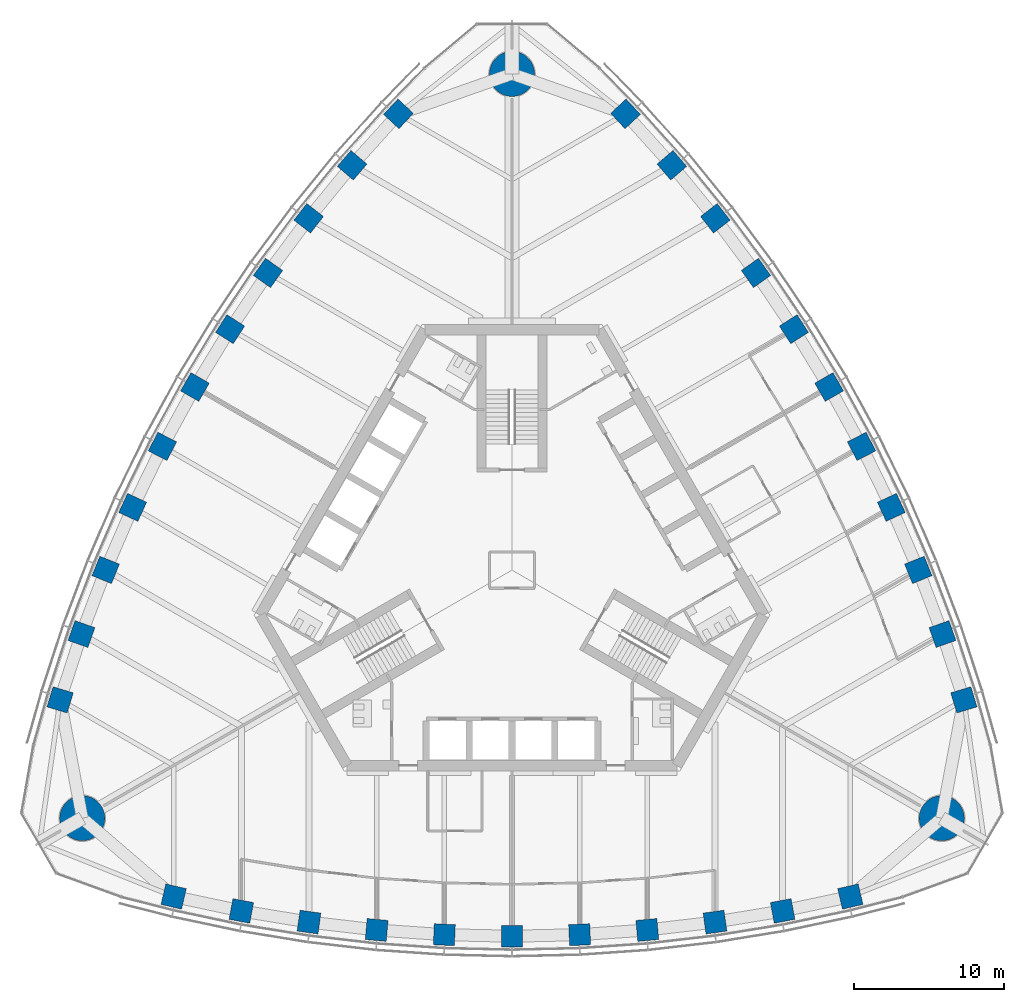
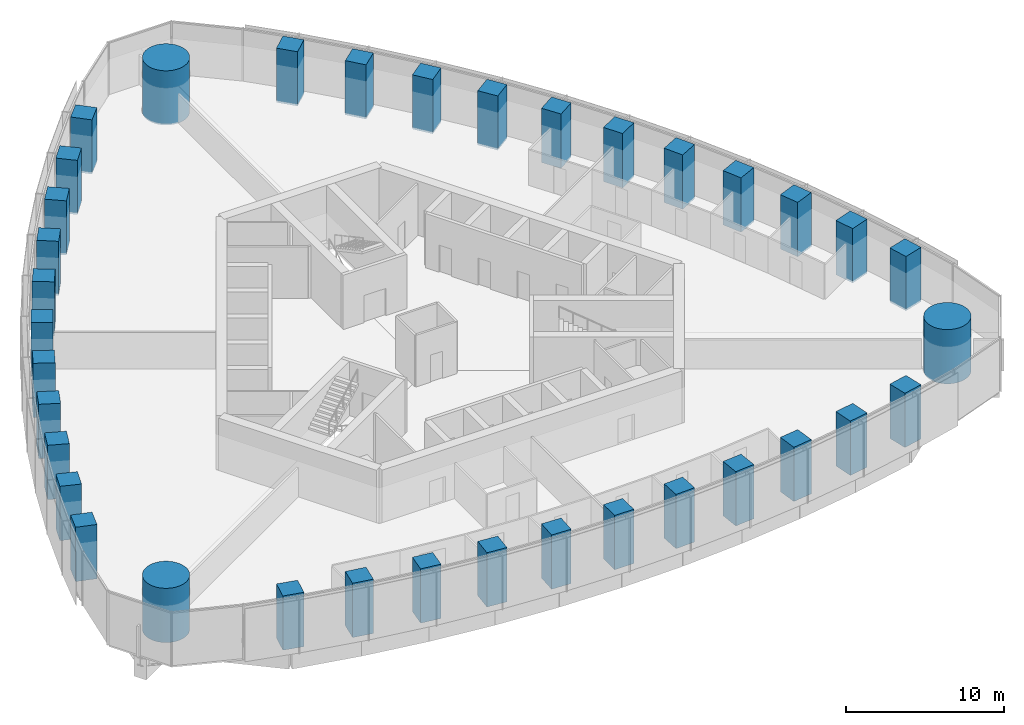
# One storey, part 1 of 18: 36 columns.
"""IFC4 building model written with IfcOpenShell, lengths in metres."""

from ifc_helpers import new_model, si_unit, direction, frame, origin, origin_2d, place, context, subcontext, project, spatial, rectangle, circle, extrude, material, material_profile, profile_set, type_object, element, save


model = new_model("IFC4")

# Units and contexts
model_context = context("Model", 3, precision=1e-05, world=origin(), true_north=direction((0.0, 1.0)))
body_context = subcontext(model_context, "Body", "Model", "MODEL_VIEW")
ifc_project = project(units=[si_unit("LENGTHUNIT", "METRE"), si_unit("AREAUNIT", "SQUARE_METRE"), si_unit("VOLUMEUNIT", "CUBIC_METRE"), si_unit("PLANEANGLEUNIT", "RADIAN"), si_unit("MASSUNIT", "GRAM", prefix="KILO")], contexts=[model_context])

# Site, building, storey
site_placement = place(None, origin())
site = spatial("IfcSite", under=ifc_project, at=site_placement, CompositionType="ELEMENT")
building_placement = place(site_placement, origin())
building = spatial("IfcBuilding", under=site, at=building_placement, Name="Trefoil Bronze Tower", CompositionType="ELEMENT")
storey_placement = place(building_placement, frame((0.0, 0.0, 252.699951171875)))
storey = spatial("IfcBuildingStorey", under=building, at=storey_placement, Name="L58", CompositionType="ELEMENT", Elevation=252.699951171875)

# Columns
ifc_material_1 = material(Name="Concrete B80", Category="concrete")
ifc_material_profile_1 = material_profile(ifc_material_1, circle(Radius=1.5, at=origin_2d()), Name="RC D3000")
ifc_profile_set_1 = profile_set([ifc_material_profile_1], Name="Concrete B80")
column_type_1 = type_object("IfcColumnType", Name="Mega column RC D3000", PredefinedType="COLUMN", material=ifc_profile_set_1)
for number, where, z_axis, x_axis, name in (
    (1, (28.578857421875, -16.5, 0.0), (0.0, 0.0, 1.0), (1.0, 0.0, 0.0), "Mega column K1 L58"),
    (2, (0.0, 33.0, 0.0), (0.0, 0.0, 1.0), (1.0, 0.0, 0.0), "Mega column K2 L58"),
    (3, (-28.578857421875, -16.5, 0.0), (0.0, 0.0, 1.0), (1.0, 0.0, 0.0), "Mega column K3 L58"),
):
    element("IfcColumn", number, at=place(storey_placement, frame(where, z_axis=z_axis, x_axis=x_axis)), inside=storey, type_object=column_type_1, Name=name, PredefinedType="COLUMN", context=body_context, shape_type="SweptSolid", body=[
        extrude(circle(Radius=1.5, at=origin_2d()), origin(), (0.0, 0.0, 1.0), 4.199951171875),
    ])
ifc_material_2 = material(Name="Concrete B80", Category="concrete")
ifc_material_profile_2 = material_profile(ifc_material_2, rectangle(XDim=1.39990234375, YDim=1.39990234375, at=origin_2d()), Name="RC 1400x1400")
ifc_profile_set_2 = profile_set([ifc_material_profile_2], Name="Concrete B80")
column_type_2 = type_object("IfcColumnType", Name="Tube column RC 1400x1400", PredefinedType="COLUMN", material=ifc_profile_set_2)
for number, where, z_axis, x_axis, name in (
    (4, (-22.5, -21.71044921875, 0.0), (0.0, 0.0, 1.0), (0.973875487093, -0.227082662569, 0.0), "Tube column F1/-5 L58"),
    (5, (-18.0, -22.6689453125, 0.0), (0.0, 0.0, 1.0), (0.982958917767, -0.183825368167, 0.0), "Tube column F1/-4 L58"),
    (6, (-13.5, -23.408447265625, 0.0), (0.0, 0.0, 1.0), (0.990450627582, -0.137867887204, 0.0), "Tube column F1/-3 L58"),
    (7, (-9.0, -23.932861328125, 0.0), (0.0, 0.0, 1.0), (0.995767189263, -0.091911396394, 0.0), "Tube column F1/-2 L58"),
    (8, (-4.5, -24.246337890625, 0.0), (0.0, 0.0, 1.0), (0.998943485952, -0.045955542372, 0.0), "Tube column F1/-1 L58"),
    (9, (0.0, -24.3505859375, 0.0), (0.0, 0.0, 1.0), (1.0, 0.0, 0.0), "Tube column F1/+0 L58"),
    (10, (4.5, -24.246337890625, 0.0), (0.0, 0.0, 1.0), (0.998943485952, 0.045955542372, 0.0), "Tube column F1/+1 L58"),
    (11, (9.0, -23.932861328125, 0.0), (0.0, 0.0, 1.0), (0.995767189263, 0.091911396394, 0.0), "Tube column F1/+2 L58"),
    (12, (13.5, -23.408447265625, 0.0), (0.0, 0.0, 1.0), (0.990450627582, 0.137867887204, 0.0), "Tube column F1/+3 L58"),
    (13, (18.0, -22.6689453125, 0.0), (0.0, 0.0, 1.0), (0.982958917767, 0.183825368167, 0.0), "Tube column F1/+4 L58"),
    (14, (22.5, -21.71044921875, 0.0), (0.0, 0.0, 1.0), (0.973875487093, 0.227082662569, 0.0), "Tube column F1/+5 L58"),
    (15, (30.052001953125, -8.63037109375, 0.0), (0.0, 0.0, 1.0), (-0.290278389002, 0.95694224323, 0.0), "Tube column F2/-5 L58"),
    (16, (28.632080078125, -4.25390625, 0.0), (0.0, 0.0, 1.0), (-0.332282020191, 0.943180077746, 0.0), "Tube column F2/-4 L58"),
    (17, (27.022216796875, 0.012939453125, 0.0), (0.0, 0.0, 1.0), (-0.375828221106, 0.926689348282, 0.0), "Tube column F2/-3 L58"),
    (18, (25.2265625, 4.17236328125, 0.0), (0.0, 0.0, 1.0), (-0.418285990457, 0.908315380354, 0.0), "Tube column F2/-2 L58"),
    (19, (23.248046875, 8.22607421875, 0.0), (0.0, 0.0, 1.0), (-0.459673075837, 0.888088206965, 0.0), "Tube column F2/-1 L58"),
    (20, (21.08837890625, 12.17529296875, 0.0), (0.0, 0.0, 1.0), (-0.5, 0.866025403784, 0.0), "Tube column F2/+0 L58"),
    (21, (18.748046875, 16.020263671875, 0.0), (0.0, 0.0, 1.0), (-0.539270410114, 0.842132664593, 0.0), "Tube column F2/+1 L58"),
    (22, (16.2265625, 19.7607421875, 0.0), (0.0, 0.0, 1.0), (-0.577481198806, 0.81640398396, 0.0), "Tube column F2/+2 L58"),
    (23, (13.522216796875, 23.3955078125, 0.0), (0.0, 0.0, 1.0), (-0.614622406476, 0.788821461078, 0.0), "Tube column F2/+3 L58"),
    (24, (10.632080078125, 26.923095703125, 0.0), (0.0, 0.0, 1.0), (-0.650676897576, 0.75935470958, 0.0), "Tube column F2/+4 L58"),
    (25, (7.552001953125, 30.3408203125, 0.0), (0.0, 0.0, 1.0), (-0.683597098091, 0.729859580661, 0.0), "Tube column F2/+5 L58"),
    (26, (-7.552001953125, 30.3408203125, 0.0), (0.0, 0.0, 1.0), (-0.683597098091, -0.729859580661, 0.0), "Tube column F3/-5 L58"),
    (27, (-10.632080078125, 26.923095703125, 0.0), (0.0, 0.0, 1.0), (-0.650676897576, -0.75935470958, 0.0), "Tube column F3/-4 L58"),
    (28, (-13.522216796875, 23.3955078125, 0.0), (0.0, 0.0, 1.0), (-0.614622406476, -0.788821461078, 0.0), "Tube column F3/-3 L58"),
    (29, (-16.2265625, 19.7607421875, 0.0), (0.0, 0.0, 1.0), (-0.577481198806, -0.81640398396, 0.0), "Tube column F3/-2 L58"),
    (30, (-18.748046875, 16.020263671875, 0.0), (0.0, 0.0, 1.0), (-0.539270410114, -0.842132664593, 0.0), "Tube column F3/-1 L58"),
    (31, (-21.08837890625, 12.17529296875, 0.0), (0.0, 0.0, 1.0), (-0.5, -0.866025403784, 0.0), "Tube column F3/+0 L58"),
    (32, (-23.248046875, 8.22607421875, 0.0), (0.0, 0.0, 1.0), (-0.459673075837, -0.888088206965, 0.0), "Tube column F3/+1 L58"),
    (33, (-25.2265625, 4.17236328125, 0.0), (0.0, 0.0, 1.0), (-0.418285990457, -0.908315380354, 0.0), "Tube column F3/+2 L58"),
    (34, (-27.022216796875, 0.012939453125, 0.0), (0.0, 0.0, 1.0), (-0.375828221106, -0.926689348282, 0.0), "Tube column F3/+3 L58"),
    (35, (-28.632080078125, -4.25390625, 0.0), (0.0, 0.0, 1.0), (-0.332282020191, -0.943180077746, 0.0), "Tube column F3/+4 L58"),
    (36, (-30.052001953125, -8.63037109375, 0.0), (0.0, 0.0, 1.0), (-0.290278389002, -0.95694224323, 0.0), "Tube column F3/+5 L58"),
):
    element("IfcColumn", number, at=place(storey_placement, frame(where, z_axis=z_axis, x_axis=x_axis)), inside=storey, type_object=column_type_2, Name=name, PredefinedType="COLUMN", context=body_context, shape_type="SweptSolid", body=[
        extrude(rectangle(XDim=1.39990234375, YDim=1.39990234375, at=origin_2d()), origin(), (0.0, 0.0, 1.0), 4.199951171875),
    ])

save(model, "model.ifc")
